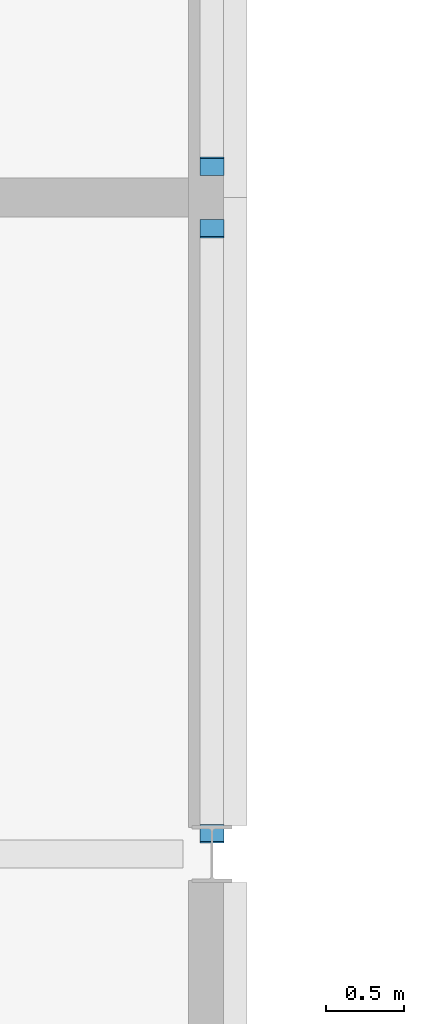
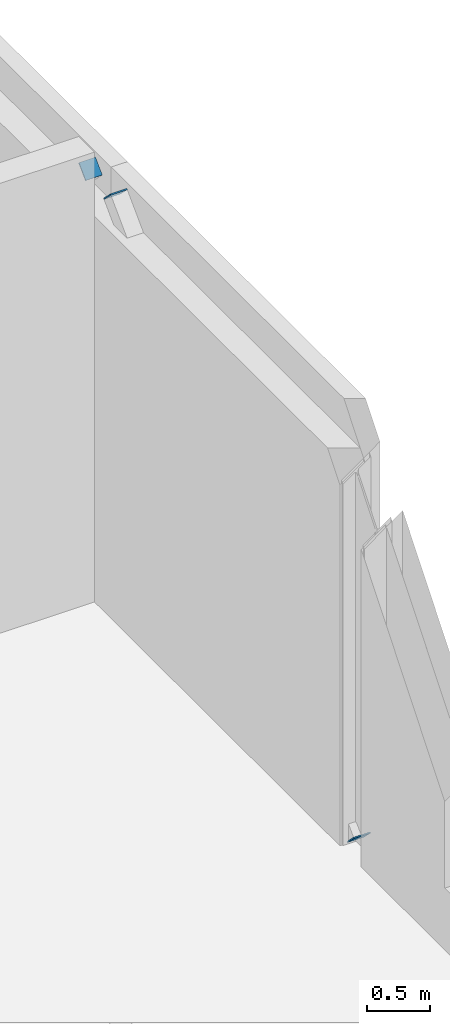
# One storey, part 20 of 26: 3 discrete accessories.
"""IFC4 building model written with IfcOpenShell, lengths in metres."""

from ifc_helpers import new_model, si_unit, direction, frame, origin, origin_2d, place, context, subcontext, project, spatial, rectangle, extrude, material, element, save


model = new_model("IFC4")

# Units and contexts
model_context = context("Model", 3, precision=1e-05, world=origin(), true_north=direction((0.0, 1.0)))
body_context = subcontext(model_context, "Body", "Model", "MODEL_VIEW")
ifc_project = project(units=[si_unit("LENGTHUNIT", "METRE"), si_unit("AREAUNIT", "SQUARE_METRE"), si_unit("VOLUMEUNIT", "CUBIC_METRE"), si_unit("PLANEANGLEUNIT", "RADIAN"), si_unit("MASSUNIT", "GRAM", prefix="KILO")], contexts=[model_context])

# Site, building, storey
site_placement = place(None, origin())
site = spatial("IfcSite", under=ifc_project, at=site_placement, CompositionType="ELEMENT")
building_placement = place(site_placement, origin())
building = spatial("IfcBuilding", under=site, at=building_placement, Name="Hlaing Beacon Police Headquarters", CompositionType="ELEMENT")
storey_placement = place(building_placement, frame((0.0, 0.0, 23.39990234375)))
storey = spatial("IfcBuildingStorey", under=building, at=storey_placement, Name="L05", CompositionType="ELEMENT", Elevation=23.39990234375)

# Discrete accessories
ifc_material = material(Name="Steel ASTM A572 Grade 50", Category="steel")
for number, where, z_axis, x_axis, name in (
    (1, (33.60009765625, 42.134033203125, 0.058349609375), (0.0, -0.704124468733, -0.710076568077), (1.0, 0.0, 0.0), "Gusset plate GP-201"),
    (2, (33.60009765625, 45.995849609375, 3.952880859375), (0.0, 0.704124468733, 0.710076568077), (-1.0, 0.0, 0.0), "Gusset plate GP-202"),
    (3, (33.60009765625, 46.404052734375, 3.952880859375), (0.0, -0.704124468733, 0.710076568077), (1.0, 0.0, 0.0), "Gusset plate GP-204"),
):
    element("IfcDiscreteAccessory", number, at=place(storey_placement, frame(where, z_axis=z_axis, x_axis=x_axis)), inside=storey, material=ifc_material, Name=name, PredefinedType="BRACKET", context=body_context, shape_type="SweptSolid", body=[
        extrude(rectangle(XDim=0.15234375, YDim=0.15234375, at=origin_2d()), origin(), (0.0, 0.0, 1.0), 0.011962890625),
    ])

save(model, "model.ifc")
